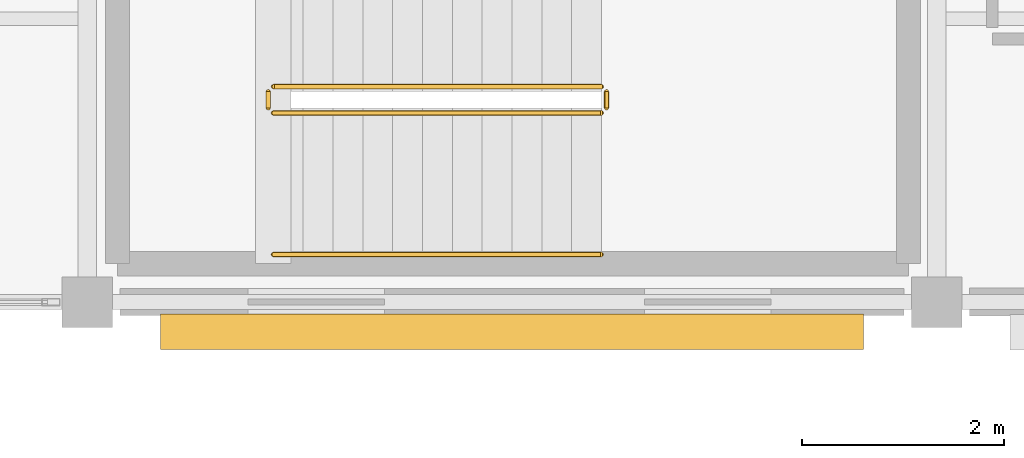
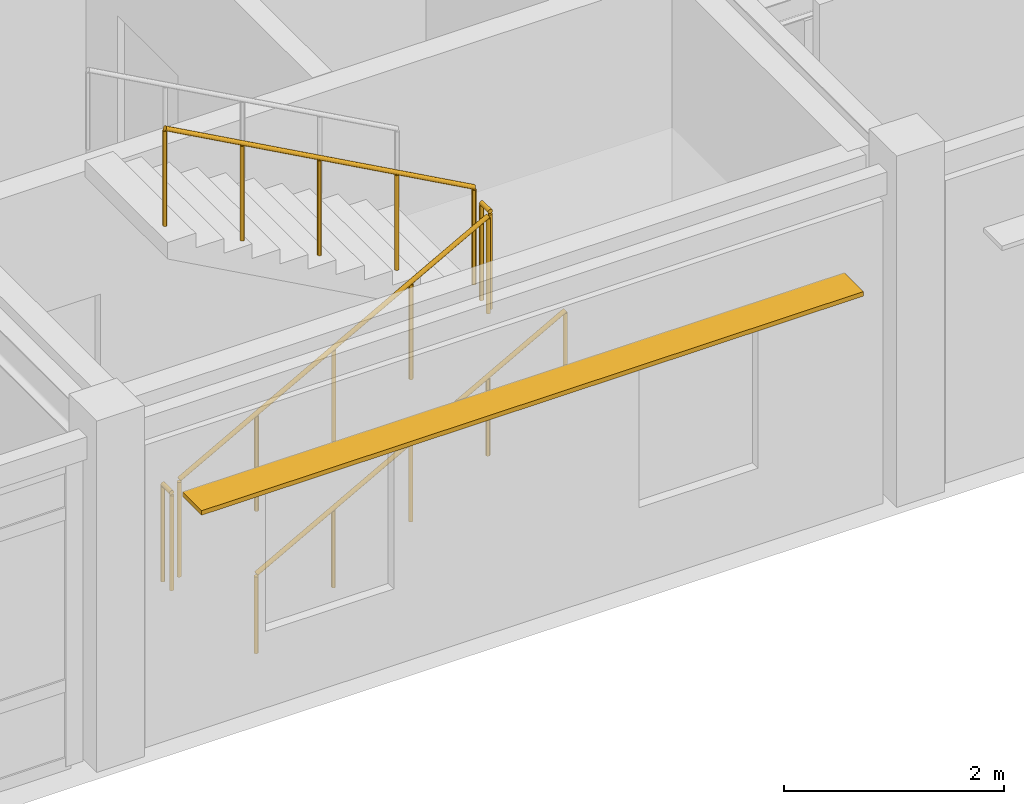
# One storey, part 49 of 53: 5 railings, 1 shading device.
"""IFC4 building model written with IfcOpenShell, lengths in metres."""

from ifc_helpers import new_model, si_unit, direction, frame, origin, origin_2d, place, context, subcontext, project, spatial, rectangle, circle, extrude, material, material_profile, profile_set, type_object, element, save


model = new_model("IFC4")

# Units and contexts
model_context = context("Model", 3, precision=1e-05, world=origin(), true_north=direction((0.0, 1.0)))
body_context = subcontext(model_context, "Body", "Model", "MODEL_VIEW")
ifc_project = project(units=[si_unit("LENGTHUNIT", "METRE"), si_unit("AREAUNIT", "SQUARE_METRE"), si_unit("VOLUMEUNIT", "CUBIC_METRE"), si_unit("PLANEANGLEUNIT", "RADIAN"), si_unit("MASSUNIT", "GRAM", prefix="KILO")], contexts=[model_context])

# Site, building, storey
site_placement = place(None, origin())
site = spatial("IfcSite", under=ifc_project, at=site_placement, CompositionType="ELEMENT")
building_placement = place(site_placement, origin())
building = spatial("IfcBuilding", under=site, at=building_placement, Name="Bramfleet General Hospital", CompositionType="ELEMENT")
storey_placement = place(building_placement, frame((0.0, 0.0, 26.39990234375)))
storey = spatial("IfcBuildingStorey", under=building, at=storey_placement, Name="L06", CompositionType="ELEMENT", Elevation=26.39990234375)

# Railings
ifc_material_1 = material(Name="Powder-coated steel stair balustrade", Category="steel")
railing_type_1 = type_object("IfcRailingType", Name="RAIL-ST-GUARD", PredefinedType="GUARDRAIL", material=ifc_material_1)
railing_1_placement = place(storey_placement, frame((77.43994140625, 94.27001953125, 0.16259765625)))
element("IfcRailing", 1, at=railing_1_placement, inside=storey, type_object=railing_type_1, Name="L06 ST-C5 stair guard 1", PredefinedType="GUARDRAIL", context=body_context, shape_type="SweptSolid", body=[
    extrude(circle(Radius=0.02392578125, at=origin_2d()), frame((0.0, 0.0, 1.076171875), z_axis=(0.875898504189, 0.0, 0.482495399314), x_axis=(0.0, 1.0, 0.0)), (0.0, 0.0, 1.0), 3.704833984375),
    extrude(circle(Radius=0.02099609375, at=origin_2d()), origin(), (0.0, 0.0, 1.0), 1.052001953125),
    extrude(circle(Radius=0.02099609375, at=origin_2d()), frame((0.811279296875, 0.0, 0.44677734375)), (0.0, 0.0, 1.0), 1.052001953125),
    extrude(circle(Radius=0.02099609375, at=origin_2d()), frame((1.62255859375, 0.0, 0.893798828125)), (0.0, 0.0, 1.0), 1.052001953125),
    extrude(circle(Radius=0.02099609375, at=origin_2d()), frame((2.433837890625, 0.0, 1.3408203125)), (0.0, 0.0, 1.0), 1.052001953125),
    extrude(circle(Radius=0.02099609375, at=origin_2d()), frame((3.2451171875, 0.0, 1.78759765625)), (0.0, 0.0, 1.0), 1.052001953125),
])
railing_2_placement = place(storey_placement, frame((80.735107421875, 94.320068359375, 1.9501953125)))
element("IfcRailing", 2, at=railing_2_placement, inside=storey, type_object=railing_type_1, Name="L06 ST-C5 stair guard 2", PredefinedType="GUARDRAIL", context=body_context, shape_type="SweptSolid", body=[
    extrude(circle(Radius=0.02392578125, at=origin_2d()), frame((0.0, 0.0, 1.076171875), z_axis=(0.0, 1.0, 0.0), x_axis=(-1.0, 0.0, 0.0)), (0.0, 0.0, 1.0), 0.159912109375),
    extrude(circle(Radius=0.02099609375, at=origin_2d()), origin(), (0.0, 0.0, 1.0), 1.052001953125),
    extrude(circle(Radius=0.02099609375, at=origin_2d()), frame((0.0, 0.159912109375, 0.0)), (0.0, 0.0, 1.0), 1.052001953125),
])
railing_3_placement = place(storey_placement, frame((80.68505859375, 94.530029296875, 2.112548828125)))
element("IfcRailing", 3, at=railing_3_placement, inside=storey, type_object=railing_type_1, Name="L06 ST-C5 stair guard 3", PredefinedType="GUARDRAIL", context=body_context, shape_type="SweptSolid", body=[
    extrude(circle(Radius=0.02392578125, at=origin_2d()), frame((0.0, 0.0, 1.076171875), z_axis=(-0.875898504189, 0.0, 0.482495399314), x_axis=(0.0, -1.0, 0.0)), (0.0, 0.0, 1.0), 3.704833984375),
    extrude(circle(Radius=0.02099609375, at=origin_2d()), origin(), (0.0, 0.0, 1.0), 1.052001953125),
    extrude(circle(Radius=0.02099609375, at=origin_2d()), frame((-0.811279296875, 0.0, 0.44677734375)), (0.0, 0.0, 1.0), 1.052001953125),
    extrude(circle(Radius=0.02099609375, at=origin_2d()), frame((-1.62255859375, 0.0, 0.893798828125)), (0.0, 0.0, 1.0), 1.052001953125),
    extrude(circle(Radius=0.02099609375, at=origin_2d()), frame((-2.433837890625, 0.0, 1.3408203125)), (0.0, 0.0, 1.0), 1.052001953125),
    extrude(circle(Radius=0.02099609375, at=origin_2d()), frame((-3.2451171875, 0.0, 1.78759765625)), (0.0, 0.0, 1.0), 1.052001953125),
])
railing_4_placement = place(storey_placement, frame((77.389892578125, 94.320068359375, 0.0)))
element("IfcRailing", 4, at=railing_4_placement, inside=storey, type_object=railing_type_1, Name="L06 ST-C5 stair guard 4", PredefinedType="GUARDRAIL", context=body_context, shape_type="SweptSolid", body=[
    extrude(circle(Radius=0.02392578125, at=origin_2d()), frame((0.0, 0.0, 1.076171875), z_axis=(0.0, 1.0, 0.0), x_axis=(-1.0, 0.0, 0.0)), (0.0, 0.0, 1.0), 0.159912109375),
    extrude(circle(Radius=0.02099609375, at=origin_2d()), origin(), (0.0, 0.0, 1.0), 1.052001953125),
    extrude(circle(Radius=0.02099609375, at=origin_2d()), frame((0.0, 0.159912109375, 0.0)), (0.0, 0.0, 1.0), 1.052001953125),
])
ifc_material_2 = material(Name="Stainless steel 1.4301 stair handrail", Category="steel")
railing_type_2 = type_object("IfcRailingType", Name="RAIL-ST-HND", PredefinedType="HANDRAIL", material=ifc_material_2)
railing_5_placement = place(storey_placement, frame((77.43994140625, 92.8701171875, 0.16259765625)))
element("IfcRailing", 5, at=railing_5_placement, inside=storey, type_object=railing_type_2, Name="L06 ST-C5 stair handrail 1", PredefinedType="HANDRAIL", context=body_context, shape_type="SweptSolid", body=[
    extrude(circle(Radius=0.02392578125, at=origin_2d()), frame((0.0, 0.0, 0.8759765625), z_axis=(0.875898504189, 0.0, 0.482495399314), x_axis=(0.0, 1.0, 0.0)), (0.0, 0.0, 1.0), 3.704833984375),
    extrude(circle(Radius=0.02099609375, at=origin_2d()), origin(), (0.0, 0.0, 1.0), 0.851806640625),
    extrude(circle(Radius=0.02099609375, at=origin_2d()), frame((0.811279296875, 0.0, 0.44677734375)), (0.0, 0.0, 1.0), 0.851806640625),
    extrude(circle(Radius=0.02099609375, at=origin_2d()), frame((1.62255859375, 0.0, 0.893798828125)), (0.0, 0.0, 1.0), 0.851806640625),
    extrude(circle(Radius=0.02099609375, at=origin_2d()), frame((2.433837890625, 0.0, 1.3408203125)), (0.0, 0.0, 1.0), 0.851806640625),
    extrude(circle(Radius=0.02099609375, at=origin_2d()), frame((3.2451171875, 0.0, 1.78759765625)), (0.0, 0.0, 1.0), 0.851806640625),
])

# Shading device
ifc_material_3 = material(Name="Anodised aluminium EN AW-6063", Category="aluminium")
ifc_material_profile = material_profile(ifc_material_3, rectangle(XDim=0.050048828125, YDim=0.35009765625, at=origin_2d()), Name="ALU LOUVRE 350x50")
ifc_profile_set = profile_set([ifc_material_profile], Name="Anodised aluminium EN AW-6063")
shading_device_type = type_object("IfcShadingDeviceType", Name="SHD-LVR-350", PredefinedType="USERDEFINED", material=ifc_profile_set)
shading_device_placement = place(storey_placement, frame((83.27490234375, 92.107421875, 2.670166015625), z_axis=(-1.0, 0.0, 0.0), x_axis=(0.0, 0.0, 1.0)))
element("IfcShadingDevice", 6, at=shading_device_placement, inside=storey, type_object=shading_device_type, Name="L06 Solar Shading Louvre 82", ObjectType="Louvre", PredefinedType="USERDEFINED", context=body_context, shape_type="SweptSolid", body=[
    extrude(rectangle(XDim=0.050048828125, YDim=0.35009765625, at=origin_2d()), origin(), (0.0, 0.0, 1.0), 6.949951171875),
])

save(model, "model.ifc")
